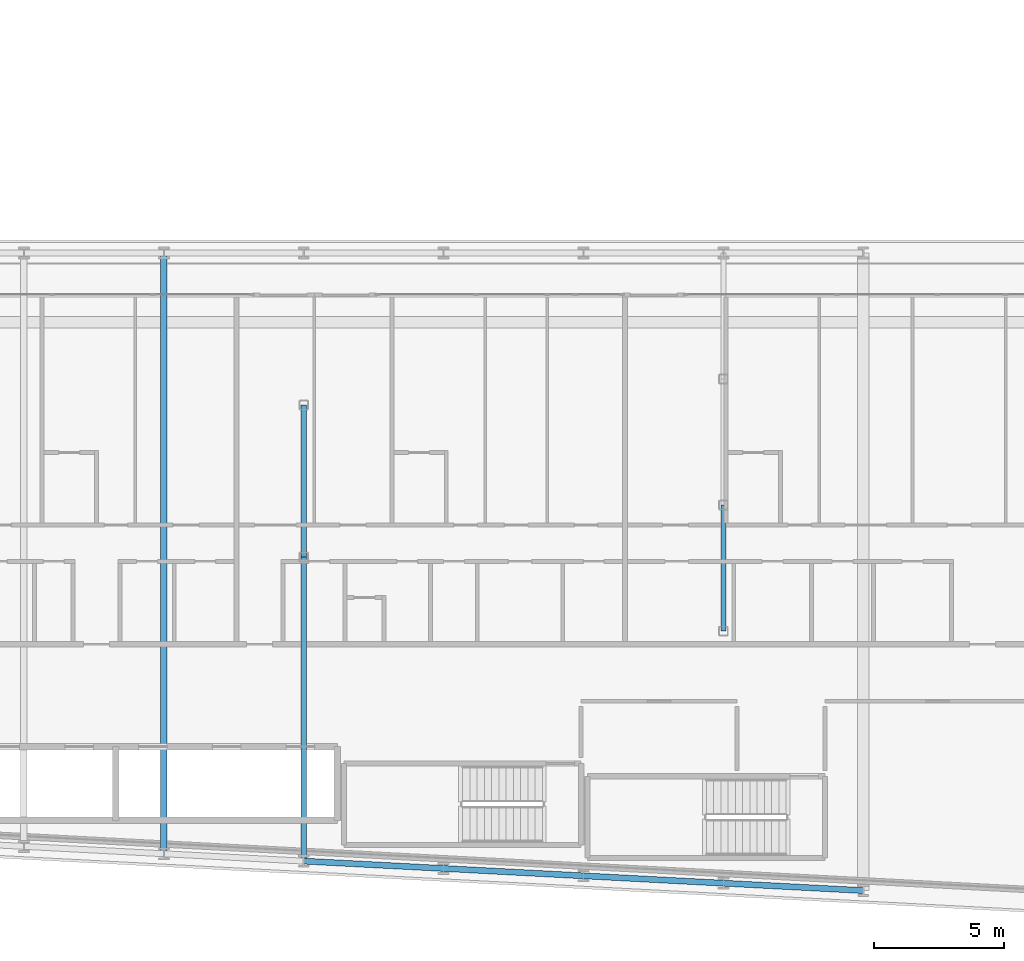
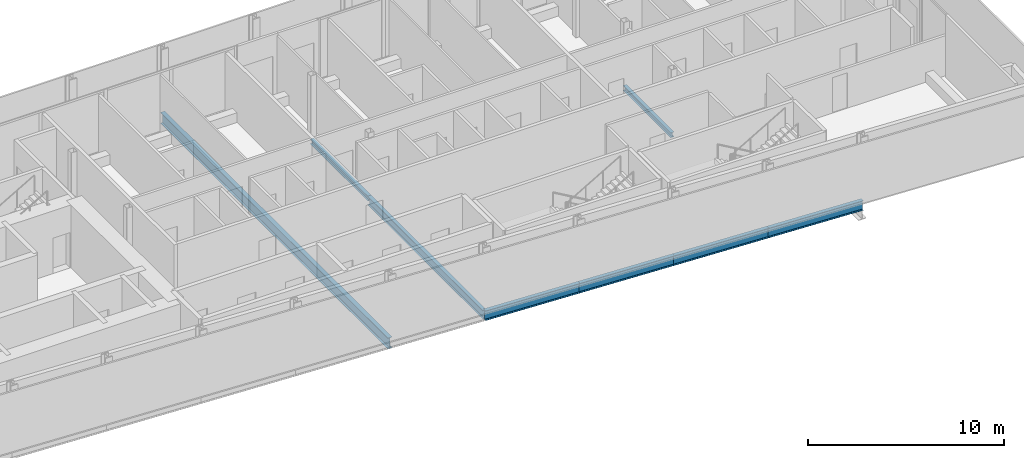
# One storey, part 5 of 29: 8 beams.
"""IFC4 building model written with IfcOpenShell, lengths in metres."""

from ifc_helpers import new_model, si_unit, direction, frame, origin, origin_2d, place, context, subcontext, project, spatial, i_section, extrude, material, material_profile, profile_set, type_object, element, save


model = new_model("IFC4")

# Units and contexts
model_context = context("Model", 3, precision=1e-05, world=origin(), true_north=direction((0.0, 1.0)))
body_context = subcontext(model_context, "Body", "Model", "MODEL_VIEW")
ifc_project = project(units=[si_unit("LENGTHUNIT", "METRE"), si_unit("AREAUNIT", "SQUARE_METRE"), si_unit("VOLUMEUNIT", "CUBIC_METRE"), si_unit("PLANEANGLEUNIT", "RADIAN"), si_unit("MASSUNIT", "GRAM", prefix="KILO")], contexts=[model_context])

# Site, building, storey
site_placement = place(None, origin())
site = spatial("IfcSite", under=ifc_project, at=site_placement, CompositionType="ELEMENT")
building_placement = place(site_placement, origin())
building = spatial("IfcBuilding", under=site, at=building_placement, Name="Kheshtan School and Residences Tower", CompositionType="ELEMENT")
storey_placement = place(building_placement, frame((0.0, 0.0, 121.39990234375)))
storey = spatial("IfcBuildingStorey", under=building, at=storey_placement, Name="L28", CompositionType="ELEMENT", Elevation=121.39990234375)

# Beams
ifc_material = material(Name="Steel ASTM A992 Grade 50", Category="steel")
ifc_material_profile_1 = material_profile(ifc_material, i_section(OverallWidth=0.202880859375, OverallDepth=0.302978515625, WebThickness=0.007568359375, FlangeThickness=0.01318359375, FilletRadius=0.009033203125, at=origin_2d()), Name="W310x60")
ifc_profile_set_1 = profile_set([ifc_material_profile_1], Name="Steel ASTM A992 Grade 50")
beam_type_1 = type_object("IfcBeamType", Name="Beam FB1 W310x60 ASTM A992 Grade 50", PredefinedType="BEAM", material=ifc_profile_set_1)
beam_1_placement = place(storey_placement, frame((85.39990234375, 31.0048828125, -0.301513671875), z_axis=(0.0, 1.0, 0.0), x_axis=(-1.0, 0.0, 0.0)))
element("IfcBeam", 1, at=beam_1_placement, inside=storey, type_object=beam_type_1, Name="Floor beam IC", PredefinedType="BEAM", context=body_context, shape_type="SweptSolid", body=[
    extrude(i_section(OverallWidth=0.202880859375, OverallDepth=0.302978515625, WebThickness=0.007568359375, FlangeThickness=0.01318359375, FilletRadius=0.009033203125, at=origin_2d()), origin(), (0.0, 0.0, 1.0), 4.865234375),
])
beam_2_placement = place(storey_placement, frame((69.199951171875, 33.863037109375, -0.301513671875), z_axis=(0.0, 1.0, 0.0), x_axis=(-1.0, 0.0, 0.0)))
element("IfcBeam", 2, at=beam_2_placement, inside=storey, type_object=beam_type_1, Name="Floor beam IC", PredefinedType="BEAM", context=body_context, shape_type="SweptSolid", body=[
    extrude(i_section(OverallWidth=0.202880859375, OverallDepth=0.302978515625, WebThickness=0.007568359375, FlangeThickness=0.01318359375, FilletRadius=0.009033203125, at=origin_2d()), origin(), (0.0, 0.0, 1.0), 5.868896484375),
])
ifc_material_profile_2 = material_profile(ifc_material, i_section(OverallWidth=0.208984375, OverallDepth=0.532958984375, WebThickness=0.01025390625, FlangeThickness=0.015625, FilletRadius=0.013916015625, at=origin_2d()), Name="W530x92")
ifc_profile_set_2 = profile_set([ifc_material_profile_2], Name="Steel ASTM A992 Grade 50")
beam_type_2 = type_object("IfcBeamType", Name="Beam FB4 W530x92 ASTM A992 Grade 50", PredefinedType="BEAM", material=ifc_profile_set_2)
beam_3_placement = place(storey_placement, frame((69.199951171875, 22.126953125, -0.41650390625), z_axis=(0.0, 1.0, 0.0), x_axis=(-1.0, 0.0, 0.0)))
element("IfcBeam", 3, at=beam_3_placement, inside=storey, type_object=beam_type_2, Name="Floor beam C014", PredefinedType="BEAM", context=body_context, shape_type="SweptSolid", body=[
    extrude(i_section(OverallWidth=0.208984375, OverallDepth=0.532958984375, WebThickness=0.01025390625, FlangeThickness=0.015625, FilletRadius=0.013916015625, at=origin_2d()), origin(), (0.0, 0.0, 1.0), 11.736083984375),
])
ifc_material_profile_3 = material_profile(ifc_material, i_section(OverallWidth=0.2529296875, OverallDepth=0.677978515625, WebThickness=0.01171875, FlangeThickness=0.016357421875, FilletRadius=0.0146484375, at=origin_2d()), Name="W690x125")
ifc_profile_set_3 = profile_set([ifc_material_profile_3], Name="Steel ASTM A992 Grade 50")
beam_type_3 = type_object("IfcBeamType", Name="Beam FB6 W690x125 ASTM A992 Grade 50", PredefinedType="BEAM", material=ifc_profile_set_3)
beam_4_placement = place(storey_placement, frame((63.800048828125, 45.60009765625, -0.489013671875), z_axis=(0.0, -1.0, 0.0), x_axis=(1.0, 0.0, 0.0)))
element("IfcBeam", 4, at=beam_4_placement, inside=storey, type_object=beam_type_3, Name="Floor beam C063", PredefinedType="BEAM", context=body_context, shape_type="SweptSolid", body=[
    extrude(i_section(OverallWidth=0.2529296875, OverallDepth=0.677978515625, WebThickness=0.01171875, FlangeThickness=0.016357421875, FilletRadius=0.0146484375, at=origin_2d()), origin(), (0.0, 0.0, 1.0), 23.189208984375),
])
ifc_material_profile_4 = material_profile(ifc_material, i_section(OverallWidth=0.22802734375, OverallDepth=0.60302734375, WebThickness=0.010498046875, FlangeThickness=0.014892578125, FilletRadius=0.013427734375, at=origin_2d()), Name="W610x101")
ifc_profile_set_4 = profile_set([ifc_material_profile_4], Name="Steel ASTM A992 Grade 50")
beam_type_4 = type_object("IfcBeamType", Name="Beam SP2 W610x101 ASTM A992 Grade 50", PredefinedType="BEAM", material=ifc_profile_set_4)
beam_5_placement = place(storey_placement, frame((90.800048828125, 20.989990234375, -0.451416015625), z_axis=(-0.998620571751, 0.05250670125, 0.0), x_axis=(-0.05250670125, -0.998620571751, 0.0)))
element("IfcBeam", 5, at=beam_5_placement, inside=storey, type_object=beam_type_4, Name="Spandrel beam C006-C008", PredefinedType="BEAM", context=body_context, shape_type="SweptSolid", body=[
    extrude(i_section(OverallWidth=0.22802734375, OverallDepth=0.60302734375, WebThickness=0.010498046875, FlangeThickness=0.014892578125, FilletRadius=0.013427734375, at=origin_2d()), origin(), (0.0, 0.0, 1.0), 5.40771484375),
])
for number, where, z_axis, x_axis, name in (
    (6, (85.39990234375, 21.27392578125, -0.451416015625), (-0.998618078766, 0.052554093665, 0.0), (-0.052554093665, -0.998618078766, 0.0), "Spandrel beam C008-C012"),
    (7, (80.0, 21.55810546875, -0.451416015625), (-0.998610961136, 0.052689166816, 0.0), (-0.052689166816, -0.998610961136, 0.0), "Spandrel beam C012-C013"),
):
    element("IfcBeam", number, at=place(storey_placement, frame(where, z_axis=z_axis, x_axis=x_axis)), inside=storey, type_object=beam_type_4, Name=name, PredefinedType="BEAM", context=body_context, shape_type="SweptSolid", body=[
        extrude(i_section(OverallWidth=0.22802734375, OverallDepth=0.60302734375, WebThickness=0.010498046875, FlangeThickness=0.014892578125, FilletRadius=0.013427734375, at=origin_2d()), origin(), (0.0, 0.0, 1.0), 5.407470703125),
    ])
beam_6_placement = place(storey_placement, frame((74.60009765625, 21.843017578125, -0.451416015625), z_axis=(-0.998620571751, 0.05250670125, 0.0), x_axis=(-0.05250670125, -0.998620571751, 0.0)))
element("IfcBeam", 8, at=beam_6_placement, inside=storey, type_object=beam_type_4, Name="Spandrel beam C013-C014", PredefinedType="BEAM", context=body_context, shape_type="SweptSolid", body=[
    extrude(i_section(OverallWidth=0.22802734375, OverallDepth=0.60302734375, WebThickness=0.010498046875, FlangeThickness=0.014892578125, FilletRadius=0.013427734375, at=origin_2d()), origin(), (0.0, 0.0, 1.0), 5.40771484375),
])

save(model, "model.ifc")
